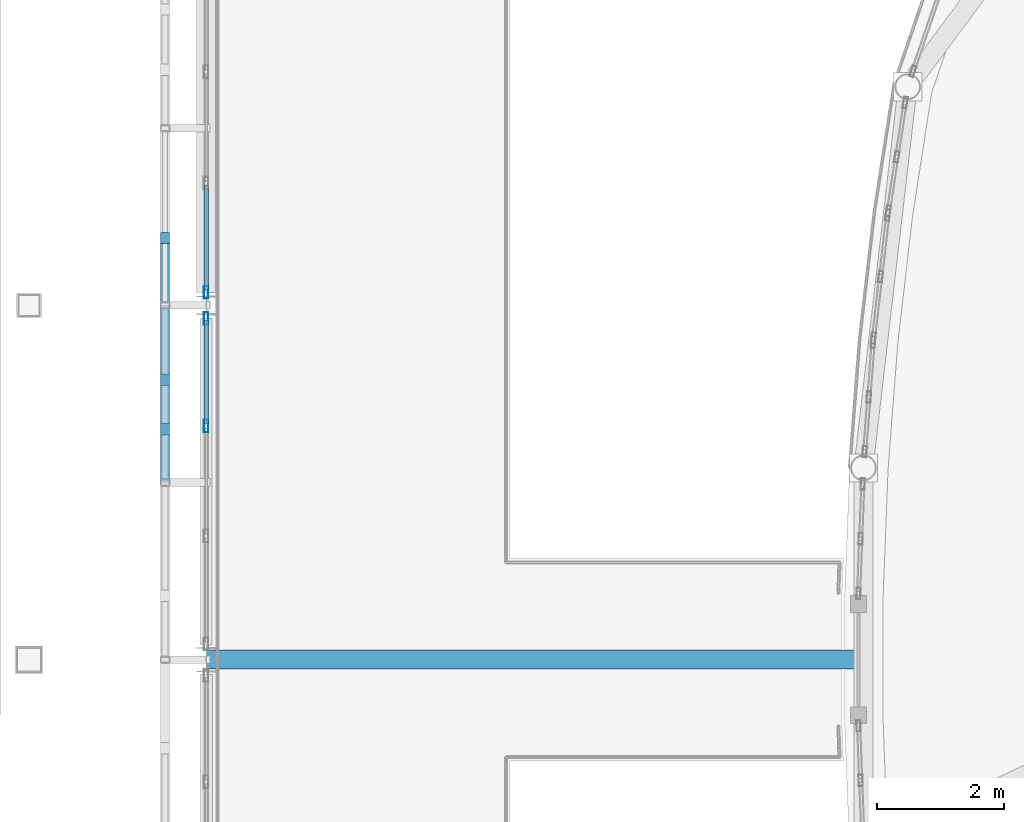
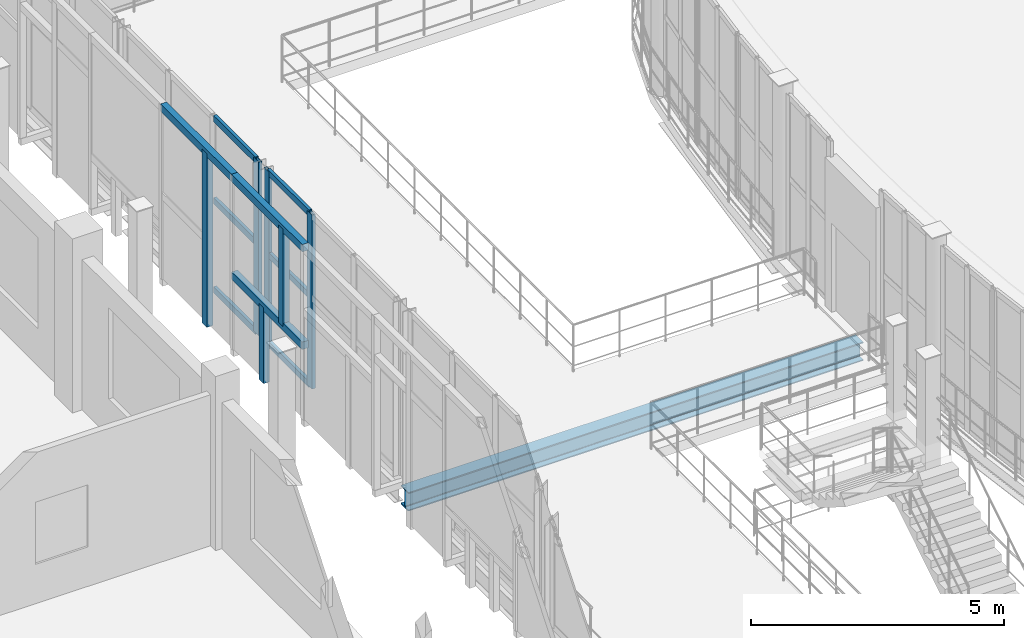
# One storey, part 40 of 121: 15 members, 1 beam, 2 elements without a shape of their own.
"""IFC4 building model written with IfcOpenShell, lengths in metres."""

import ifcopenshell
import ifcopenshell.guid

model = None  # the IFC model being written
_history = None  # IfcOwnerHistory: only IFC2X3 demands one
_inside = {}  # id of a spatial element -> (the spatial element, [elements in it])
_under = {}  # id of a project, library or spatial element -> (it, [spatial elements below it])
_declared = {}  # id of a project -> (the project, [libraries it declares])
_typed = {}  # id of a type object -> (the type object, [elements of that type])
_made_of = {}  # id of a material, layer set ... -> (it, [elements and type objects made of it])


def new_model(schema):
    """Start an empty IFC model of exactly this schema.

    Asked for "IFC4X3", IfcOpenShell would pick the latest addendum, in which some entities
    have other attributes; the version numbers below select the first issue.
    IFC2X3 requires an IfcOwnerHistory on every rooted entity: one is made here for all.
    """
    global model, _history
    if schema == "IFC4X3":
        model = ifcopenshell.file(schema_version=(4, 3, 0, 0))
    else:
        model = ifcopenshell.file(schema=schema)
    _inside.clear()
    _under.clear()
    _declared.clear()
    _typed.clear()
    _made_of.clear()
    _history = None
    if model.schema == "IFC2X3":
        org = make("IfcOrganization", Name="unknown")
        user = make(
            "IfcPersonAndOrganization",
            ThePerson=make("IfcPerson", FamilyName="unknown"),
            TheOrganization=org,
        )
        app = make(
            "IfcApplication",
            ApplicationDeveloper=org,
            Version="unknown",
            ApplicationFullName="unknown",
            ApplicationIdentifier="unknown",
        )
        _history = make(
            "IfcOwnerHistory",
            OwningUser=user,
            OwningApplication=app,
            ChangeAction="ADDED",
            CreationDate=0,
        )
    return model


def make(cls, **values):
    """One entity of the class cls with the attributes given. An attribute that is None is left unset."""
    return model.create_entity(
        cls, **{name: value for name, value in values.items() if value is not None}
    )


def rooted(cls, **values):
    """An entity with a GlobalId (a new one), such as an element, a storey or a relation."""
    return make(cls, GlobalId=ifcopenshell.guid.new(), OwnerHistory=_history, **values)


def si_unit(unit_type, name, prefix=None):
    """IfcSIUnit, for example si_unit("LENGTHUNIT", "METRE", prefix="MILLI")."""
    return make("IfcSIUnit", UnitType=unit_type, Prefix=prefix, Name=name)


def assignment(units):
    """IfcUnitAssignment: the units of a project."""
    return None if units is None else make("IfcUnitAssignment", Units=units)


def point(xyz):
    """IfcCartesianPoint."""
    return None if xyz is None else make("IfcCartesianPoint", Coordinates=xyz)


def direction(xyz):
    """IfcDirection."""
    return None if xyz is None else make("IfcDirection", DirectionRatios=xyz)


def frame(location, z_axis=None, x_axis=None):
    """IfcAxis2Placement3D, a coordinate frame: its origin and axes. An axis left out is left unset."""
    return make(
        "IfcAxis2Placement3D",
        Location=point(location),
        Axis=direction(z_axis),
        RefDirection=direction(x_axis),
    )


def frame_2d(location, x_axis=None):
    """IfcAxis2Placement2D, a coordinate frame in the plane: its origin and x axis."""
    return make(
        "IfcAxis2Placement2D", Location=point(location), RefDirection=direction(x_axis)
    )


def origin():
    """The frame at (0, 0, 0) with its axes left unset."""
    return frame((0.0, 0.0, 0.0))


def origin_2d():
    """The frame at (0, 0) in the plane with its x axis left unset."""
    return frame_2d((0.0, 0.0))


def place(relative_to, where):
    """IfcLocalPlacement: puts the frame where relative to a parent placement (None: the world)."""
    return make(
        "IfcLocalPlacement", PlacementRelTo=relative_to, RelativePlacement=where
    )


def context(
    kind, dimensions, precision=None, world=None, true_north=None, identifier=None
):
    """IfcGeometricRepresentationContext, for example the 3D "Model" context."""
    return make(
        "IfcGeometricRepresentationContext",
        ContextIdentifier=identifier,
        ContextType=kind,
        CoordinateSpaceDimension=dimensions,
        Precision=precision,
        WorldCoordinateSystem=world,
        TrueNorth=true_north,
    )


def subcontext(parent, identifier, kind, view, scale=None):
    """IfcGeometricRepresentationSubContext, for example "Body" below "Model"."""
    return make(
        "IfcGeometricRepresentationSubContext",
        ContextIdentifier=identifier,
        ContextType=kind,
        ParentContext=parent,
        TargetScale=scale,
        TargetView=view,
    )


def project(units=None, contexts=None):
    """IfcProject with its units and contexts."""
    return rooted(
        "IfcProject",
        Name="project",
        RepresentationContexts=contexts,
        UnitsInContext=assignment(units),
    )


def spatial(cls, under=None, at=None, **own):
    """A site, building, storey or space (cls), placed at a placement, below another one or the project."""
    s = rooted(cls, ObjectPlacement=at, **own)
    if under is not None:
        _under.setdefault(under.id(), (under, []))[1].append(s)
    return s


def profile(cls, at=None, kind="AREA", **sizes):
    """A parametric profile (cls). Its sizes go by their IFC names, for example OverallWidth=200.0."""
    return make(cls, ProfileType=kind, Position=at, **sizes)


def rectangle(**sizes):
    """IfcRectangleProfileDef."""
    return profile("IfcRectangleProfileDef", **sizes)


def hollow_rectangle(**sizes):
    """IfcRectangleHollowProfileDef."""
    return profile("IfcRectangleHollowProfileDef", **sizes)


def i_section(**sizes):
    """IfcIShapeProfileDef."""
    return profile("IfcIShapeProfileDef", **sizes)


def extrude(swept, where, along, depth):
    """IfcExtrudedAreaSolid: the profile swept, set in the frame where, extruded along a direction by depth."""
    return make(
        "IfcExtrudedAreaSolid",
        SweptArea=swept,
        Position=where,
        ExtrudedDirection=direction(along),
        Depth=depth,
    )


def shape(context_of_items, identifier, shape_type, items):
    """IfcShapeRepresentation: the items that make up one representation, for example the "Body"."""
    return make(
        "IfcShapeRepresentation",
        ContextOfItems=context_of_items,
        RepresentationIdentifier=identifier,
        RepresentationType=shape_type,
        Items=items,
    )


def material(Name=None, Category=None):
    """IfcMaterial."""
    return make("IfcMaterial", Name=Name, Category=Category)


def layer(
    of_material, thickness, ventilated=None, Name=None, Category=None, Priority=None
):
    """IfcMaterialLayer: one layer of a wall or slab, of a material (None: an air gap)."""
    return make(
        "IfcMaterialLayer",
        Material=of_material,
        LayerThickness=thickness,
        IsVentilated=ventilated,
        Name=Name,
        Category=Category,
        Priority=Priority,
    )


def layer_set(layers, Name=None):
    """IfcMaterialLayerSet."""
    return make("IfcMaterialLayerSet", MaterialLayers=layers, LayerSetName=Name)


def material_profile(
    of_material, cross_section, Name=None, Category=None, Priority=None
):
    """IfcMaterialProfile: a cross section and its material."""
    return make(
        "IfcMaterialProfile",
        Name=Name,
        Material=of_material,
        Profile=cross_section,
        Priority=Priority,
        Category=Category,
    )


def profile_set(profiles, Name=None, composite=None):
    """IfcMaterialProfileSet."""
    return make(
        "IfcMaterialProfileSet",
        Name=Name,
        MaterialProfiles=profiles,
        CompositeProfile=composite,
    )


def made_of(thing, what):
    """Note that an element or type object is made of a material, layer set ...; save() writes the relation."""
    if what is not None:
        _made_of.setdefault(what.id(), (what, []))[1].append(thing)
    return thing


def type_object(cls, material=None, **own):
    """A type object (cls), such as IfcWallType, which elements share."""
    return made_of(rooted(cls, **own), material)


def element(
    cls,
    number,
    at=None,
    inside=None,
    cuts=None,
    type_object=None,
    material=None,
    context=None,
    identifier="Body",
    shape_type=None,
    held_by="IfcProductDefinitionShape",
    body=None,
    shapes=None,
    **own,
):
    """One element of the class cls, such as IfcWall. Its Tag is "e" and its number.

    at: its placement. inside: the storey or other place that contains it. cuts: it is an
    opening in that element (IfcRelVoidsElement). A single representation is given by context,
    identifier, shape_type and body (its items); several are given by shapes. held_by: the class
    of the entity that holds the representations. save() writes the other relations.
    """
    e = rooted(cls, Tag="e%d" % number, ObjectPlacement=at, **own)
    if body is not None:
        shapes = [shape(context, identifier, shape_type, body)]
    if shapes is not None:
        e.Representation = make(held_by, Representations=shapes)
    if inside is not None:
        _inside.setdefault(inside.id(), (inside, []))[1].append(e)
    if cuts is not None:
        rooted(
            "IfcRelVoidsElement", RelatingBuildingElement=cuts, RelatedOpeningElement=e
        )
    if type_object is not None:
        _typed.setdefault(type_object.id(), (type_object, []))[1].append(e)
    return made_of(e, material)


def aggregate(whole, parts):
    """IfcRelAggregates: a whole, such as a stair, and the parts it consists of."""
    return rooted("IfcRelAggregates", RelatingObject=whole, RelatedObjects=parts)


def save(model, path):
    """Write the relations noted so far, then the file.

    IfcRelAggregates (storeys below a building ...), IfcRelContainedInSpatialStructure (elements
    in a storey), IfcRelDefinesByType, IfcRelAssociatesMaterial and IfcRelDeclares: one each for
    every whole, place, type object, material and project.
    """
    for whole, parts in _under.values():
        aggregate(whole, parts)
    for where, things in _inside.values():
        rooted(
            "IfcRelContainedInSpatialStructure",
            RelatedElements=things,
            RelatingStructure=where,
        )
    for kind, things in _typed.values():
        rooted("IfcRelDefinesByType", RelatedObjects=things, RelatingType=kind)
    for what, things in _made_of.values():
        rooted("IfcRelAssociatesMaterial", RelatedObjects=things, RelatingMaterial=what)
    for by, libraries in _declared.values():
        rooted("IfcRelDeclares", RelatingContext=by, RelatedDefinitions=libraries)
    model.write(path)


model = new_model("IFC4")

# Units and contexts
model_context = context("Model", 3, precision=1e-05, world=origin(), true_north=direction((0.0, 1.0)))
body_context = subcontext(model_context, "Body", "Model", "MODEL_VIEW")
ifc_project = project(units=[si_unit("LENGTHUNIT", "METRE"), si_unit("AREAUNIT", "SQUARE_METRE"), si_unit("VOLUMEUNIT", "CUBIC_METRE"), si_unit("PLANEANGLEUNIT", "RADIAN"), si_unit("MASSUNIT", "GRAM", prefix="KILO")], contexts=[model_context])

# Site, building, storey
site_placement = place(None, origin())
site = spatial("IfcSite", under=ifc_project, at=site_placement, CompositionType="ELEMENT")
building_placement = place(site_placement, origin())
building = spatial("IfcBuilding", under=site, at=building_placement, Name="Vinh Khe Railworks Police Headquarters", CompositionType="ELEMENT")
storey_placement = place(building_placement, frame((0.0, 0.0, 4.800048828125)))
storey = spatial("IfcBuildingStorey", under=building, at=storey_placement, Name="L01", CompositionType="ELEMENT", Elevation=4.800048828125)

# Members
ifc_material_1 = material(Name="Salvaged ironwood timber", Category="wood")
ifc_material_profile_1 = material_profile(ifc_material_1, rectangle(XDim=0.139892578125, YDim=0.179931640625, at=origin_2d()), Name="TIMBER 140x180")
ifc_profile_set_1 = profile_set([ifc_material_profile_1], Name="Salvaged ironwood timber")
member_type_1 = type_object("IfcMemberType", Name="MEM-QUILT-STILE", PredefinedType="CHORD", material=ifc_profile_set_1)
for number, where, z_axis, x_axis, name in (
    (1, (25.75, 44.800048828125, 4.119873046875), (0.0, 1.0, 0.0), (-1.0, 0.0, 0.0), "Salvaged Timber Quilt Transom W-L01-07-TOP"),
    (2, (25.75, 44.800048828125, 1.763916015625), (0.0, 1.0, 0.0), (-1.0, 0.0, 0.0), "Salvaged Timber Quilt Transom W-L01-07-M1"),
):
    element("IfcMember", number, at=place(storey_placement, frame(where, z_axis=z_axis, x_axis=x_axis)), inside=storey, type_object=member_type_1, Name=name, PredefinedType="CHORD", context=body_context, shape_type="SweptSolid", body=[
        extrude(rectangle(XDim=0.139892578125, YDim=0.179931640625, at=origin_2d()), origin(), (0.0, 0.0, 1.0), 2.800048828125),
    ])
member_1_placement = place(storey_placement, frame((25.75, 46.424072265625, -0.080078125), z_axis=(0.0, 0.0, 1.0), x_axis=(1.0, 0.0, 0.0)))
element("IfcMember", 3, at=member_1_placement, inside=storey, type_object=member_type_1, Name="Salvaged Timber Quilt Stile W-L01-07-V1", PredefinedType="POST", context=body_context, shape_type="SweptSolid", body=[
    extrude(rectangle(XDim=0.139892578125, YDim=0.179931640625, at=origin_2d()), origin(), (0.0, 0.0, 1.0), 1.843994140625),
])
member_2_placement = place(storey_placement, frame((25.75, 45.639892578125, 1.763916015625), z_axis=(0.0, 0.0, 1.0), x_axis=(1.0, 0.0, 0.0)))
element("IfcMember", 4, at=member_2_placement, inside=storey, type_object=member_type_1, Name="Salvaged Timber Quilt Stile W-L01-07-V2", PredefinedType="POST", context=body_context, shape_type="SweptSolid", body=[
    extrude(rectangle(XDim=0.139892578125, YDim=0.179931640625, at=origin_2d()), origin(), (0.0, 0.0, 1.0), 2.35595703125),
])
member_3_placement = place(storey_placement, frame((25.75, 47.60009765625, 4.119873046875), z_axis=(0.0, 1.0, 0.0), x_axis=(-1.0, 0.0, 0.0)))
element("IfcMember", 5, at=member_3_placement, inside=storey, type_object=member_type_1, Name="Salvaged Timber Quilt Transom W-L01-08-TOP", PredefinedType="CHORD", context=body_context, shape_type="SweptSolid", body=[
    extrude(rectangle(XDim=0.139892578125, YDim=0.179931640625, at=origin_2d()), origin(), (0.0, 0.0, 1.0), 2.7998046875),
])
member_4_placement = place(storey_placement, frame((25.75, 48.6640625, -0.080078125), z_axis=(0.0, 0.0, 1.0), x_axis=(1.0, 0.0, 0.0)))
element("IfcMember", 6, at=member_4_placement, inside=storey, type_object=member_type_1, Name="Salvaged Timber Quilt Stile W-L01-08-V1", PredefinedType="POST", context=body_context, shape_type="SweptSolid", body=[
    extrude(rectangle(XDim=0.139892578125, YDim=0.179931640625, at=origin_2d()), origin(), (0.0, 0.0, 1.0), 4.199951171875),
])

# Curtain wall, members
ifc_material_2 = material(Name="Anodised aluminium and low-iron glass", Category="aluminium")
ifc_layer = layer(ifc_material_2, 0.179931640625)
ifc_layer_set = layer_set([ifc_layer], Name="Anodised aluminium and low-iron glass")
curtain_wall_type = type_object("IfcCurtainWallType", Name="CW-CUBE-UNIT", PredefinedType="USERDEFINED", material=ifc_layer_set)
curtain_wall_1_placement = place(storey_placement, origin())
curtain_wall_1 = element("IfcCurtainWall", 7, at=curtain_wall_1_placement, inside=storey, type_object=curtain_wall_type, Name="Entrance Hall Curtain Wall L01 W-4", ObjectType="UNITISED GLAZING", PredefinedType="USERDEFINED")
ifc_material_3 = material(Name="Anodised aluminium 6063-T6", Category="aluminium")
ifc_material_profile_2 = material_profile(ifc_material_3, hollow_rectangle(XDim=0.070068359375, YDim=0.199951171875, WallThickness=0.0048828125, at=origin_2d()), Name="CW-M 70x200x5")
ifc_profile_set_2 = profile_set([ifc_material_profile_2], Name="Anodised aluminium 6063-T6")
member_type_2 = type_object("IfcMemberType", Name="MULL-CWM-03", PredefinedType="MULLION", material=ifc_profile_set_2)
member_5_placement = place(storey_placement, frame((26.39990234375, 45.691650390625, 0.0), z_axis=(0.0, 0.0, 1.0), x_axis=(-1.0, 0.0, 0.0)))
member_5 = element("IfcMember", 8, at=member_5_placement, type_object=member_type_2, Name="CW-01 mullion 3", PredefinedType="MULLION", context=body_context, shape_type="SweptSolid", body=[
    extrude(hollow_rectangle(XDim=0.070068359375, YDim=0.199951171875, WallThickness=0.0048828125, at=origin_2d()), origin(), (0.0, 0.0, 1.0), 4.199951171875),
])
member_6_placement = place(storey_placement, frame((26.39990234375, 47.39501953125, 0.0), z_axis=(0.0, 0.0, 1.0), x_axis=(-1.0, 0.0, 0.0)))
member_6 = element("IfcMember", 9, at=member_6_placement, type_object=member_type_2, Name="CW-01 mullion 4", PredefinedType="MULLION", context=body_context, shape_type="SweptSolid", body=[
    extrude(hollow_rectangle(XDim=0.070068359375, YDim=0.199951171875, WallThickness=0.0048828125, at=origin_2d()), origin(), (0.0, 0.0, 1.0), 4.199951171875),
])

# Curtain wall, member
curtain_wall_2_placement = place(storey_placement, origin())
curtain_wall_2 = element("IfcCurtainWall", 10, at=curtain_wall_2_placement, inside=storey, type_object=curtain_wall_type, Name="Entrance Hall Curtain Wall L01 W-5", ObjectType="UNITISED GLAZING", PredefinedType="USERDEFINED")
member_7_placement = place(storey_placement, frame((26.39990234375, 47.804931640625, 0.0), z_axis=(0.0, 0.0, 1.0), x_axis=(-1.0, 0.0, 0.0)))
member_7 = element("IfcMember", 11, at=member_7_placement, type_object=member_type_2, Name="CW-01 mullion 1", PredefinedType="MULLION", context=body_context, shape_type="SweptSolid", body=[
    extrude(hollow_rectangle(XDim=0.070068359375, YDim=0.199951171875, WallThickness=0.0048828125, at=origin_2d()), origin(), (0.0, 0.0, 1.0), 4.199951171875),
])

# Beam
ifc_material_4 = material(Name="Steel S355JR", Category="steel")
ifc_material_profile_3 = material_profile(ifc_material_4, i_section(OverallWidth=0.300048828125, OverallDepth=0.449951171875, WebThickness=0.013916015625, FlangeThickness=0.02587890625, FilletRadius=0.027099609375, at=origin_2d()), Name="HEB 450")
ifc_profile_set_3 = profile_set([ifc_material_profile_3], Name="Steel S355JR")
beam_type = type_object("IfcBeamType", Name="Steel Girder HEB 450", PredefinedType="BEAM", material=ifc_profile_set_3)
beam_placement = place(storey_placement, frame((26.39990234375, 42.0, -0.465087890625), z_axis=(1.0, 0.0, 0.0), x_axis=(0.0, 1.0, 0.0)))
element("IfcBeam", 12, at=beam_placement, inside=storey, type_object=beam_type, Name="Concourse Link Bridge Girder BM-L01-LINK-SB-07-0729", PredefinedType="BEAM", context=body_context, shape_type="SweptSolid", body=[
    extrude(i_section(OverallWidth=0.300048828125, OverallDepth=0.449951171875, WebThickness=0.013916015625, FlangeThickness=0.02587890625, FilletRadius=0.027099609375, at=origin_2d()), origin(), (0.0, 0.0, 1.0), 10.3876953125),
])

# Member
ifc_material_profile_4 = material_profile(ifc_material_3, hollow_rectangle(XDim=0.070068359375, YDim=0.14990234375, WallThickness=0.0048828125, at=origin_2d()), Name="CW-T 70x150x5")
ifc_profile_set_4 = profile_set([ifc_material_profile_4], Name="Anodised aluminium 6063-T6")
member_type_3 = type_object("IfcMemberType", Name="TRAN-CWT-03", PredefinedType="USERDEFINED", material=ifc_profile_set_4)
member_8_placement = place(storey_placement, frame((26.39990234375, 45.7265625, 0.034912109375), z_axis=(0.0, 1.0, 0.0), x_axis=(-1.0, 0.0, 0.0)))
member_8 = element("IfcMember", 13, at=member_8_placement, type_object=member_type_3, Name="CW-01 transom 3.1", ObjectType="TRANSOM", PredefinedType="USERDEFINED", context=body_context, shape_type="SweptSolid", body=[
    extrude(hollow_rectangle(XDim=0.070068359375, YDim=0.14990234375, WallThickness=0.0048828125, at=origin_2d()), origin(), (0.0, 0.0, 1.0), 1.633544921875),
])

member_9_placement = place(storey_placement, frame((26.39990234375, 45.7265625, 2.183837890625), z_axis=(0.0, 1.0, 0.0), x_axis=(-1.0, 0.0, 0.0)))
member_9 = element("IfcMember", 14, at=member_9_placement, type_object=member_type_3, Name="CW-01 transom 3.2", ObjectType="TRANSOM", PredefinedType="USERDEFINED", context=body_context, shape_type="SweptSolid", body=[
    extrude(hollow_rectangle(XDim=0.070068359375, YDim=0.14990234375, WallThickness=0.0048828125, at=origin_2d()), origin(), (0.0, 0.0, 1.0), 1.633544921875),
])

member_10_placement = place(storey_placement, frame((26.39990234375, 45.7265625, 4.1650390625), z_axis=(0.0, 1.0, 0.0), x_axis=(-1.0, 0.0, 0.0)))
member_10 = element("IfcMember", 15, at=member_10_placement, type_object=member_type_3, Name="CW-01 transom 3.3", ObjectType="TRANSOM", PredefinedType="USERDEFINED", context=body_context, shape_type="SweptSolid", body=[
    extrude(hollow_rectangle(XDim=0.070068359375, YDim=0.14990234375, WallThickness=0.0048828125, at=origin_2d()), origin(), (0.0, 0.0, 1.0), 1.633544921875),
])

aggregate(curtain_wall_1, [member_5, member_6, member_8, member_9, member_10])

member_11_placement = place(storey_placement, frame((26.39990234375, 47.840087890625, 0.034912109375), z_axis=(0.0, 1.0, 0.0), x_axis=(-1.0, 0.0, 0.0)))
member_11 = element("IfcMember", 16, at=member_11_placement, type_object=member_type_3, Name="CW-01 transom 1.1", ObjectType="TRANSOM", PredefinedType="USERDEFINED", context=body_context, shape_type="SweptSolid", body=[
    extrude(hollow_rectangle(XDim=0.070068359375, YDim=0.14990234375, WallThickness=0.0048828125, at=origin_2d()), origin(), (0.0, 0.0, 1.0), 1.655029296875),
])

member_12_placement = place(storey_placement, frame((26.39990234375, 47.840087890625, 2.183837890625), z_axis=(0.0, 1.0, 0.0), x_axis=(-1.0, 0.0, 0.0)))
member_12 = element("IfcMember", 17, at=member_12_placement, type_object=member_type_3, Name="CW-01 transom 1.2", ObjectType="TRANSOM", PredefinedType="USERDEFINED", context=body_context, shape_type="SweptSolid", body=[
    extrude(hollow_rectangle(XDim=0.070068359375, YDim=0.14990234375, WallThickness=0.0048828125, at=origin_2d()), origin(), (0.0, 0.0, 1.0), 1.655029296875),
])

member_13_placement = place(storey_placement, frame((26.39990234375, 47.840087890625, 4.1650390625), z_axis=(0.0, 1.0, 0.0), x_axis=(-1.0, 0.0, 0.0)))
member_13 = element("IfcMember", 18, at=member_13_placement, type_object=member_type_3, Name="CW-01 transom 1.3", ObjectType="TRANSOM", PredefinedType="USERDEFINED", context=body_context, shape_type="SweptSolid", body=[
    extrude(hollow_rectangle(XDim=0.070068359375, YDim=0.14990234375, WallThickness=0.0048828125, at=origin_2d()), origin(), (0.0, 0.0, 1.0), 1.655029296875),
])

aggregate(curtain_wall_2, [member_7, member_11, member_12, member_13])

save(model, "model.ifc")
